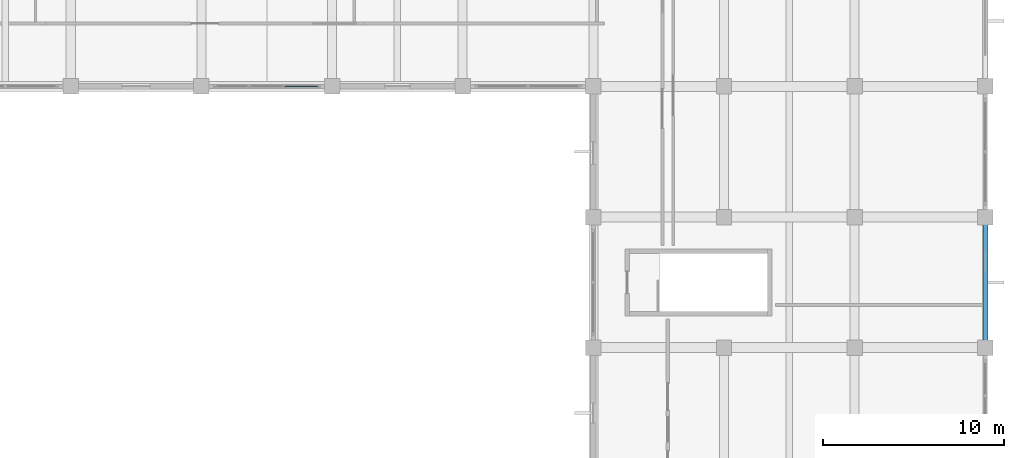
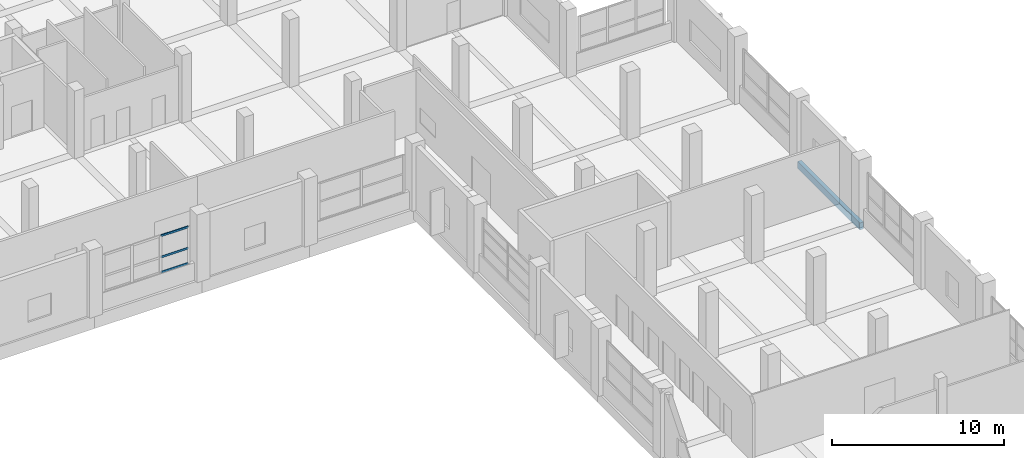
# One storey, part 126 of 181: 3 members, 1 beam, 1 element without a shape of its own.
"""IFC4 building model written with IfcOpenShell, lengths in metres."""

from ifc_helpers import new_model, si_unit, direction, frame, origin, origin_2d, place, context, subcontext, project, spatial, rectangle, hollow_rectangle, extrude, material, layer, layer_set, material_profile, profile_set, type_object, element, aggregate, save


model = new_model("IFC4")

# Units and contexts
model_context = context("Model", 3, precision=1e-05, world=origin(), true_north=direction((0.0, 1.0)))
body_context = subcontext(model_context, "Body", "Model", "MODEL_VIEW")
ifc_project = project(units=[si_unit("LENGTHUNIT", "METRE"), si_unit("AREAUNIT", "SQUARE_METRE"), si_unit("VOLUMEUNIT", "CUBIC_METRE"), si_unit("PLANEANGLEUNIT", "RADIAN"), si_unit("MASSUNIT", "GRAM", prefix="KILO")], contexts=[model_context])

# Site, building, storey
site_placement = place(None, origin())
site = spatial("IfcSite", under=ifc_project, at=site_placement, CompositionType="ELEMENT")
building_placement = place(site_placement, origin())
building = spatial("IfcBuilding", under=site, at=building_placement, Name="Seraya Terrace Polytechnic", CompositionType="ELEMENT")
storey_placement = place(building_placement, frame((0.0, 0.0, 4.800048828125)))
storey = spatial("IfcBuildingStorey", under=building, at=storey_placement, Name="L01", CompositionType="ELEMENT", Elevation=4.800048828125)

# Curtain wall, members
ifc_material_1 = material(Name="Anodised aluminium EN AW-6063 T6", Category="aluminium")
ifc_layer = layer(ifc_material_1, 0.179931640625, Name="CW-13")
ifc_layer_set = layer_set([ifc_layer], Name="Anodised aluminium EN AW-6063 T6")
curtain_wall_type = type_object("IfcCurtainWallType", Name="CW-13", PredefinedType="NOTDEFINED", material=ifc_layer_set)
curtain_wall_placement = place(storey_placement, origin())
curtain_wall = element("IfcCurtainWall", 1, at=curtain_wall_placement, inside=storey, type_object=curtain_wall_type, Name="Unitised curtain wall CW-13 (CW-L01-049)", PredefinedType="NOTDEFINED")
ifc_material_profile_1 = material_profile(ifc_material_1, hollow_rectangle(XDim=0.06005859375, YDim=0.139892578125, WallThickness=0.00341796875, at=origin_2d()), Name="RHS 140x60x3.5")
ifc_profile_set_1 = profile_set([ifc_material_profile_1], Name="Anodised aluminium EN AW-6063 T6")
member_type = type_object("IfcMemberType", Name="CWT-01", PredefinedType="USERDEFINED", material=ifc_profile_set_1)
member_1_placement = place(storey_placement, frame((128.81494140625, 72.0, 1.27001953125), z_axis=(-1.0, 0.0, 0.0), x_axis=(0.0, -1.0, 0.0)))
member_1 = element("IfcMember", 2, at=member_1_placement, type_object=member_type, Name="CW-13 transom 1.1", ObjectType="TRANSOM", PredefinedType="USERDEFINED", context=body_context, shape_type="SweptSolid", body=[
    extrude(hollow_rectangle(XDim=0.06005859375, YDim=0.139892578125, WallThickness=0.00341796875, at=origin_2d()), origin(), (0.0, 0.0, 1.0), 1.822509765625),
])
member_2_placement = place(storey_placement, frame((128.81494140625, 72.0, 2.3486328125), z_axis=(-1.0, 0.0, 0.0), x_axis=(0.0, -1.0, 0.0)))
member_2 = element("IfcMember", 3, at=member_2_placement, type_object=member_type, Name="CW-13 transom 1.2", ObjectType="TRANSOM", PredefinedType="USERDEFINED", context=body_context, shape_type="SweptSolid", body=[
    extrude(hollow_rectangle(XDim=0.06005859375, YDim=0.139892578125, WallThickness=0.00341796875, at=origin_2d()), origin(), (0.0, 0.0, 1.0), 1.822509765625),
])
member_3_placement = place(storey_placement, frame((128.81494140625, 72.0, 3.849853515625), z_axis=(-1.0, 0.0, 0.0), x_axis=(0.0, -1.0, 0.0)))
member_3 = element("IfcMember", 4, at=member_3_placement, type_object=member_type, Name="CW-13 transom 1.3", ObjectType="TRANSOM", PredefinedType="USERDEFINED", context=body_context, shape_type="SweptSolid", body=[
    extrude(hollow_rectangle(XDim=0.06005859375, YDim=0.139892578125, WallThickness=0.00341796875, at=origin_2d()), origin(), (0.0, 0.0, 1.0), 1.822509765625),
])
aggregate(curtain_wall, [member_1, member_2, member_3])

# Beam
ifc_material_2 = material(Name="Concrete C40/50", Category="concrete")
ifc_material_profile_2 = material_profile(ifc_material_2, rectangle(XDim=0.25, YDim=0.5, at=origin_2d()), Name="RC 250x500")
ifc_profile_set_2 = profile_set([ifc_material_profile_2], Name="Concrete C40/50")
beam_type = type_object("IfcBeamType", Name="SP-03", PredefinedType="SPANDREL", material=ifc_profile_set_2)
beam_placement = place(storey_placement, frame((165.60009765625, 57.60009765625, -0.25), z_axis=(0.0, 1.0, 0.0), x_axis=(-1.0, 0.0, 0.0)))
element("IfcBeam", 5, at=beam_placement, inside=storey, type_object=beam_type, Name="Beam SP-03 L01 Y (165.6, 57.6..64.8)", PredefinedType="SPANDREL", context=body_context, shape_type="SweptSolid", body=[
    extrude(rectangle(XDim=0.25, YDim=0.5, at=origin_2d()), origin(), (0.0, 0.0, 1.0), 7.199951171875),
])

save(model, "model.ifc")
